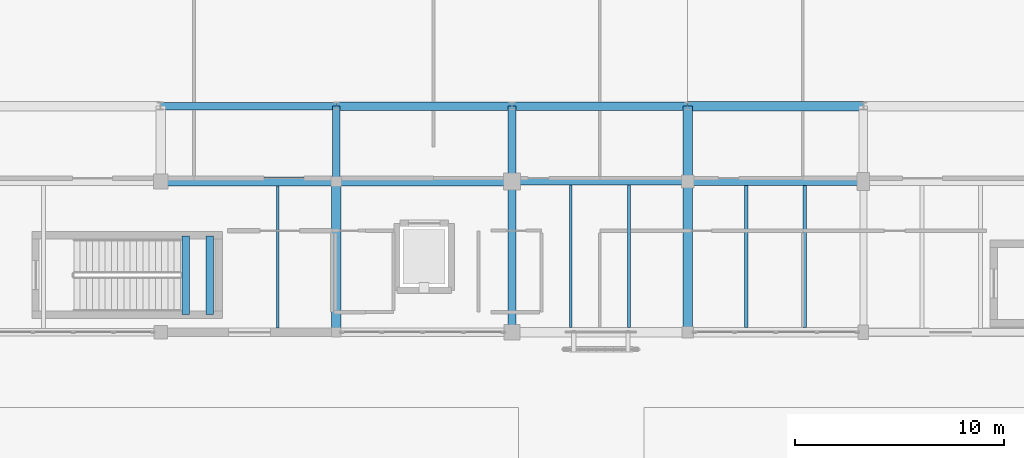
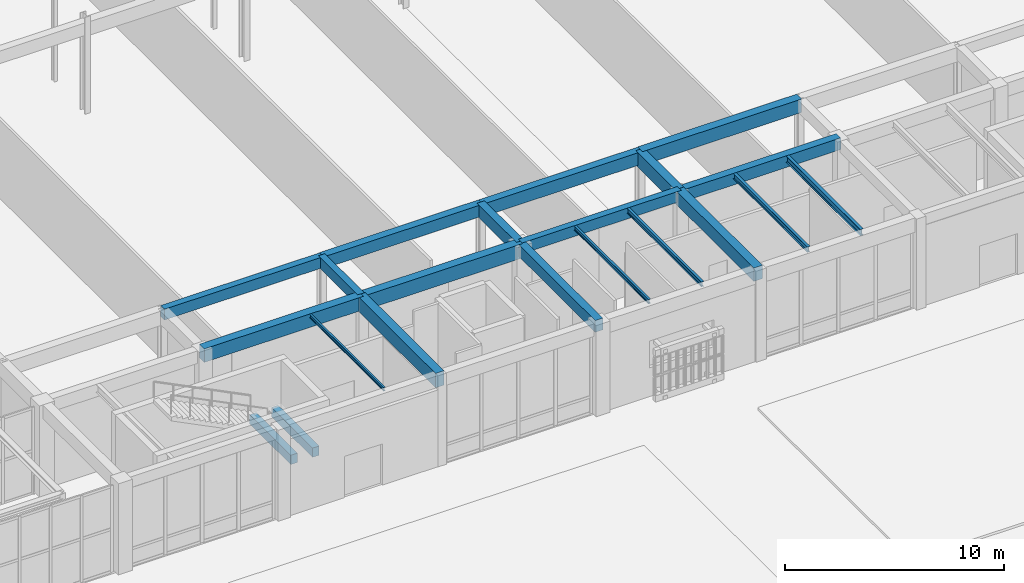
# One storey, part 73 of 169: 21 beams.
"""IFC4 building model written with IfcOpenShell, lengths in metres."""

from ifc_helpers import new_model, si_unit, direction, frame, origin, origin_2d, place, context, subcontext, project, spatial, rectangle, i_section, extrude, material, material_profile, profile_set, type_object, element, save


model = new_model("IFC4")

# Units and contexts
model_context = context("Model", 3, precision=1e-05, world=origin(), true_north=direction((0.0, 1.0)))
body_context = subcontext(model_context, "Body", "Model", "MODEL_VIEW")
ifc_project = project(units=[si_unit("LENGTHUNIT", "METRE"), si_unit("AREAUNIT", "SQUARE_METRE"), si_unit("VOLUMEUNIT", "CUBIC_METRE"), si_unit("PLANEANGLEUNIT", "RADIAN"), si_unit("MASSUNIT", "GRAM", prefix="KILO")], contexts=[model_context])

# Site, building, storey
site_placement = place(None, origin())
site = spatial("IfcSite", under=ifc_project, at=site_placement, CompositionType="ELEMENT")
building_placement = place(site_placement, origin())
building = spatial("IfcBuilding", under=site, at=building_placement, Name="Mazaris Harbour Polytechnic", CompositionType="ELEMENT")
storey_placement = place(building_placement, origin())
storey = spatial("IfcBuildingStorey", under=building, at=storey_placement, Name="L00", CompositionType="ELEMENT", Elevation=0.0)

# Beams
ifc_material_1 = material(Name="Concrete C35/45", Category="concrete")
ifc_material_profile_1 = material_profile(ifc_material_1, rectangle(XDim=0.35009765625, YDim=0.60009765625, at=origin_2d()), Name="RECT350x600")
ifc_profile_set_1 = profile_set([ifc_material_profile_1], Name="Concrete C35/45")
beam_type_1 = type_object("IfcBeamType", Name="RC Girder 350x600", PredefinedType="BEAM", material=ifc_profile_set_1)
for number, where, z_axis, x_axis, name in (
    (1, (79.199951171875, 82.800048828125, 4.780029296875), (1.0, 0.0, 0.0), (0.0, 1.0, 0.0), "V1 L00 Girder 185"),
    (2, (62.39990234375, 86.39990234375, 4.780029296875), (1.0, 0.0, 0.0), (0.0, 1.0, 0.0), "V1 L00 Girder 190"),
):
    element("IfcBeam", number, at=place(storey_placement, frame(where, z_axis=z_axis, x_axis=x_axis)), inside=storey, type_object=beam_type_1, Name=name, PredefinedType="BEAM", context=body_context, shape_type="SweptSolid", body=[
        extrude(rectangle(XDim=0.35009765625, YDim=0.60009765625, at=origin_2d()), origin(), (0.0, 0.0, 1.0), 8.400146484375),
    ])
beam_1_placement = place(storey_placement, frame((70.800048828125, 82.800048828125, 4.780029296875), z_axis=(0.0, 1.0, 0.0), x_axis=(-1.0, 0.0, 0.0)))
element("IfcBeam", 3, at=beam_1_placement, inside=storey, type_object=beam_type_1, Name="V1 L00 Tie Girder 210", PredefinedType="BEAM", context=body_context, shape_type="SweptSolid", body=[
    extrude(rectangle(XDim=0.35009765625, YDim=0.60009765625, at=origin_2d()), origin(), (0.0, 0.0, 1.0), 3.599853515625),
])
ifc_material_2 = material(Name="Concrete C35/45", Category="concrete")
ifc_material_profile_2 = material_profile(ifc_material_2, rectangle(XDim=0.39990234375, YDim=0.64990234375, at=origin_2d()), Name="RECT400x650")
ifc_profile_set_2 = profile_set([ifc_material_profile_2], Name="Concrete C35/45")
beam_type_2 = type_object("IfcBeamType", Name="RC Girder 400x650", PredefinedType="BEAM", material=ifc_profile_set_2)
for number, where, z_axis, x_axis, name in (
    (4, (87.60009765625, 82.800048828125, 4.7548828125), (1.0, 0.0, 0.0), (0.0, 1.0, 0.0), "V1 L00 Girder 186"),
    (5, (70.800048828125, 86.39990234375, 4.7548828125), (1.0, 0.0, 0.0), (0.0, 1.0, 0.0), "V1 L00 Girder 191"),
):
    element("IfcBeam", number, at=place(storey_placement, frame(where, z_axis=z_axis, x_axis=x_axis)), inside=storey, type_object=beam_type_2, Name=name, PredefinedType="BEAM", context=body_context, shape_type="SweptSolid", body=[
        extrude(rectangle(XDim=0.39990234375, YDim=0.64990234375, at=origin_2d()), origin(), (0.0, 0.0, 1.0), 8.39990234375),
    ])
beam_2_placement = place(storey_placement, frame((79.199951171875, 75.60009765625, 4.7548828125), z_axis=(0.0, 1.0, 0.0), x_axis=(-1.0, 0.0, 0.0)))
element("IfcBeam", 6, at=beam_2_placement, inside=storey, type_object=beam_type_2, Name="V1 L00 Tie Girder 211", PredefinedType="BEAM", context=body_context, shape_type="SweptSolid", body=[
    extrude(rectangle(XDim=0.39990234375, YDim=0.64990234375, at=origin_2d()), origin(), (0.0, 0.0, 1.0), 7.199951171875),
])
ifc_material_3 = material(Name="Concrete C35/45", Category="concrete")
ifc_material_profile_3 = material_profile(ifc_material_3, rectangle(XDim=0.39990234375, YDim=0.699951171875, at=origin_2d()), Name="RECT400x700")
ifc_profile_set_3 = profile_set([ifc_material_profile_3], Name="Concrete C35/45")
beam_type_3 = type_object("IfcBeamType", Name="RC Girder 400x700", PredefinedType="BEAM", material=ifc_profile_set_3)
beam_3_placement = place(storey_placement, frame((79.199951171875, 86.39990234375, 4.72998046875), z_axis=(1.0, 0.0, 0.0), x_axis=(0.0, 1.0, 0.0)))
element("IfcBeam", 7, at=beam_3_placement, inside=storey, type_object=beam_type_3, Name="V1 L00 Girder 192", PredefinedType="BEAM", context=body_context, shape_type="SweptSolid", body=[
    extrude(rectangle(XDim=0.39990234375, YDim=0.699951171875, at=origin_2d()), origin(), (0.0, 0.0, 1.0), 8.400146484375),
])
beam_4_placement = place(storey_placement, frame((79.199951171875, 82.800048828125, 4.72998046875), z_axis=(0.0, 1.0, 0.0), x_axis=(-1.0, 0.0, 0.0)))
element("IfcBeam", 8, at=beam_4_placement, inside=storey, type_object=beam_type_3, Name="V1 L00 Tie Girder 212", PredefinedType="BEAM", context=body_context, shape_type="SweptSolid", body=[
    extrude(rectangle(XDim=0.39990234375, YDim=0.699951171875, at=origin_2d()), origin(), (0.0, 0.0, 1.0), 3.599853515625),
])
ifc_material_4 = material(Name="Concrete C40/50", Category="concrete")
ifc_material_profile_4 = material_profile(ifc_material_4, rectangle(XDim=0.449951171875, YDim=0.75, at=origin_2d()), Name="RECT450x750")
ifc_profile_set_4 = profile_set([ifc_material_profile_4], Name="Concrete C40/50")
beam_type_4 = type_object("IfcBeamType", Name="RC Girder 450x750", PredefinedType="BEAM", material=ifc_profile_set_4)
beam_5_placement = place(storey_placement, frame((62.39990234375, 82.800048828125, 4.705078125), z_axis=(1.0, 0.0, 0.0), x_axis=(0.0, 1.0, 0.0)))
element("IfcBeam", 9, at=beam_5_placement, inside=storey, type_object=beam_type_4, Name="V1 L00 Girder 183", PredefinedType="BEAM", context=body_context, shape_type="SweptSolid", body=[
    extrude(rectangle(XDim=0.449951171875, YDim=0.75, at=origin_2d()), origin(), (0.0, 0.0, 1.0), 8.400146484375),
])
beam_6_placement = place(storey_placement, frame((87.60009765625, 86.39990234375, 4.705078125), z_axis=(1.0, 0.0, 0.0), x_axis=(0.0, 1.0, 0.0)))
element("IfcBeam", 10, at=beam_6_placement, inside=storey, type_object=beam_type_4, Name="V1 L00 Girder 193", PredefinedType="BEAM", context=body_context, shape_type="SweptSolid", body=[
    extrude(rectangle(XDim=0.449951171875, YDim=0.75, at=origin_2d()), origin(), (0.0, 0.0, 1.0), 8.39990234375),
])
beam_7_placement = place(storey_placement, frame((87.60009765625, 75.60009765625, 4.705078125), z_axis=(0.0, 1.0, 0.0), x_axis=(-1.0, 0.0, 0.0)))
element("IfcBeam", 11, at=beam_7_placement, inside=storey, type_object=beam_type_4, Name="V1 L00 Tie Girder 213", PredefinedType="BEAM", context=body_context, shape_type="SweptSolid", body=[
    extrude(rectangle(XDim=0.449951171875, YDim=0.75, at=origin_2d()), origin(), (0.0, 0.0, 1.0), 7.199951171875),
])
ifc_material_5 = material(Name="Concrete C40/50", Category="concrete")
ifc_material_profile_5 = material_profile(ifc_material_5, rectangle(XDim=0.449951171875, YDim=0.800048828125, at=origin_2d()), Name="RECT450x800")
ifc_profile_set_5 = profile_set([ifc_material_profile_5], Name="Concrete C40/50")
beam_type_5 = type_object("IfcBeamType", Name="RC Girder 450x800", PredefinedType="BEAM", material=ifc_profile_set_5)
beam_8_placement = place(storey_placement, frame((70.800048828125, 82.800048828125, 4.679931640625), z_axis=(1.0, 0.0, 0.0), x_axis=(0.0, 1.0, 0.0)))
element("IfcBeam", 12, at=beam_8_placement, inside=storey, type_object=beam_type_5, Name="V1 L00 Girder 184", PredefinedType="BEAM", context=body_context, shape_type="SweptSolid", body=[
    extrude(rectangle(XDim=0.449951171875, YDim=0.800048828125, at=origin_2d()), origin(), (0.0, 0.0, 1.0), 8.39990234375),
])
beam_9_placement = place(storey_placement, frame((70.800048828125, 75.60009765625, 4.679931640625), z_axis=(0.0, 1.0, 0.0), x_axis=(-1.0, 0.0, 0.0)))
element("IfcBeam", 13, at=beam_9_placement, inside=storey, type_object=beam_type_5, Name="V1 L00 Tie Girder 209", PredefinedType="BEAM", context=body_context, shape_type="SweptSolid", body=[
    extrude(rectangle(XDim=0.449951171875, YDim=0.800048828125, at=origin_2d()), origin(), (0.0, 0.0, 1.0), 7.199951171875),
])
beam_10_placement = place(storey_placement, frame((87.60009765625, 82.800048828125, 4.679931640625), z_axis=(0.0, 1.0, 0.0), x_axis=(-1.0, 0.0, 0.0)))
element("IfcBeam", 14, at=beam_10_placement, inside=storey, type_object=beam_type_5, Name="V1 L00 Tie Girder 214", PredefinedType="BEAM", context=body_context, shape_type="SweptSolid", body=[
    extrude(rectangle(XDim=0.449951171875, YDim=0.800048828125, at=origin_2d()), origin(), (0.0, 0.0, 1.0), 3.599853515625),
])
ifc_material_6 = material(Name="Concrete C40/50", Category="concrete")
ifc_material_profile_6 = material_profile(ifc_material_6, rectangle(XDim=0.35009765625, YDim=0.52001953125, at=origin_2d()), Name="RECT350x520")
ifc_profile_set_6 = profile_set([ifc_material_profile_6], Name="Concrete C40/50")
beam_type_6 = type_object("IfcBeamType", Name="RC Landing Bearer 350x520", PredefinedType="BEAM", material=ifc_profile_set_6)
for number, where, z_axis, x_axis, name in (
    (15, (63.60009765625, 76.449951171875, 2.239990234375), (0.0, 1.0, 0.0), (-1.0, 0.0, 0.0), "Core ST01 L00 Landing Bearer"),
    (16, (64.75, 76.449951171875, 2.239990234375), (0.0, 1.0, 0.0), (-1.0, 0.0, 0.0), "Core ST01 L00 Landing Bearer"),
):
    element("IfcBeam", number, at=place(storey_placement, frame(where, z_axis=z_axis, x_axis=x_axis)), inside=storey, type_object=beam_type_6, Name=name, PredefinedType="BEAM", context=body_context, shape_type="SweptSolid", body=[
        extrude(rectangle(XDim=0.35009765625, YDim=0.52001953125, at=origin_2d()), origin(), (0.0, 0.0, 1.0), 3.75),
    ])
ifc_material_7 = material(Name="Steel S355", Category="steel")
ifc_material_profile_7 = material_profile(ifc_material_7, i_section(OverallWidth=0.10009765625, OverallDepth=0.199951171875, WebThickness=0.005615234375, FlangeThickness=0.008544921875, FilletRadius=0.011962890625, at=origin_2d()), Name="IPE 200")
ifc_profile_set_7 = profile_set([ifc_material_profile_7], Name="Steel S355")
beam_type_7 = type_object("IfcBeamType", Name="Steel Joist IPE200", PredefinedType="JOIST", material=ifc_profile_set_7)
beam_11_placement = place(storey_placement, frame((68.0, 75.800048828125, 4.97998046875), z_axis=(0.0, 1.0, 0.0), x_axis=(-1.0, 0.0, 0.0)))
element("IfcBeam", 17, at=beam_11_placement, inside=storey, type_object=beam_type_7, Name="V1 L00 Floor Joist 224", PredefinedType="JOIST", context=body_context, shape_type="SweptSolid", body=[
    extrude(i_section(OverallWidth=0.10009765625, OverallDepth=0.199951171875, WebThickness=0.005615234375, FlangeThickness=0.008544921875, FilletRadius=0.011962890625, at=origin_2d()), origin(), (0.0, 0.0, 1.0), 6.77490234375),
])
ifc_material_8 = material(Name="Steel S355", Category="steel")
ifc_material_profile_8 = material_profile(ifc_material_8, i_section(OverallWidth=0.1201171875, OverallDepth=0.239990234375, WebThickness=0.006103515625, FlangeThickness=0.009765625, FilletRadius=0.014892578125, at=origin_2d()), Name="IPE 240")
ifc_profile_set_8 = profile_set([ifc_material_profile_8], Name="Steel S355")
beam_type_8 = type_object("IfcBeamType", Name="Steel Joist IPE240", PredefinedType="JOIST", material=ifc_profile_set_8)
beam_12_placement = place(storey_placement, frame((82.0, 75.824951171875, 4.9599609375), z_axis=(0.0, 1.0, 0.0), x_axis=(-1.0, 0.0, 0.0)))
element("IfcBeam", 18, at=beam_12_placement, inside=storey, type_object=beam_type_8, Name="V1 L00 Floor Joist 225", PredefinedType="JOIST", context=body_context, shape_type="SweptSolid", body=[
    extrude(i_section(OverallWidth=0.1201171875, OverallDepth=0.239990234375, WebThickness=0.006103515625, FlangeThickness=0.009765625, FilletRadius=0.014892578125, at=origin_2d()), origin(), (0.0, 0.0, 1.0), 6.800048828125),
])
ifc_material_9 = material(Name="Steel S355", Category="steel")
ifc_material_profile_9 = material_profile(ifc_material_9, i_section(OverallWidth=0.135009765625, OverallDepth=0.27001953125, WebThickness=0.006591796875, FlangeThickness=0.01025390625, FilletRadius=0.014892578125, at=origin_2d()), Name="IPE 270")
ifc_profile_set_9 = profile_set([ifc_material_profile_9], Name="Steel S355")
beam_type_9 = type_object("IfcBeamType", Name="Steel Joist IPE270", PredefinedType="JOIST", material=ifc_profile_set_9)
beam_13_placement = place(storey_placement, frame((84.800048828125, 75.824951171875, 4.945068359375), z_axis=(0.0, 1.0, 0.0), x_axis=(-1.0, 0.0, 0.0)))
element("IfcBeam", 19, at=beam_13_placement, inside=storey, type_object=beam_type_9, Name="V1 L00 Floor Joist 226", PredefinedType="JOIST", context=body_context, shape_type="SweptSolid", body=[
    extrude(i_section(OverallWidth=0.135009765625, OverallDepth=0.27001953125, WebThickness=0.006591796875, FlangeThickness=0.01025390625, FilletRadius=0.014892578125, at=origin_2d()), origin(), (0.0, 0.0, 1.0), 6.800048828125),
])
ifc_material_10 = material(Name="Steel S355", Category="steel")
ifc_material_profile_10 = material_profile(ifc_material_10, i_section(OverallWidth=0.14990234375, OverallDepth=0.300048828125, WebThickness=0.007080078125, FlangeThickness=0.0107421875, FilletRadius=0.014892578125, at=origin_2d()), Name="IPE 300")
ifc_profile_set_10 = profile_set([ifc_material_profile_10], Name="Steel S355")
beam_type_10 = type_object("IfcBeamType", Name="Steel Joist IPE300", PredefinedType="JOIST", material=ifc_profile_set_10)
beam_14_placement = place(storey_placement, frame((90.39990234375, 75.824951171875, 4.929931640625), z_axis=(0.0, 1.0, 0.0), x_axis=(-1.0, 0.0, 0.0)))
element("IfcBeam", 20, at=beam_14_placement, inside=storey, type_object=beam_type_10, Name="V1 L00 Floor Joist 227", PredefinedType="JOIST", context=body_context, shape_type="SweptSolid", body=[
    extrude(i_section(OverallWidth=0.14990234375, OverallDepth=0.300048828125, WebThickness=0.007080078125, FlangeThickness=0.0107421875, FilletRadius=0.014892578125, at=origin_2d()), origin(), (0.0, 0.0, 1.0), 6.775146484375),
])
ifc_material_11 = material(Name="Steel S355", Category="steel")
ifc_material_profile_11 = material_profile(ifc_material_11, i_section(OverallWidth=0.169921875, OverallDepth=0.360107421875, WebThickness=0.008056640625, FlangeThickness=0.0126953125, FilletRadius=0.01806640625, at=origin_2d()), Name="IPE 360")
ifc_profile_set_11 = profile_set([ifc_material_profile_11], Name="Steel S355")
beam_type_11 = type_object("IfcBeamType", Name="Steel Joist IPE360", PredefinedType="JOIST", material=ifc_profile_set_11)
beam_15_placement = place(storey_placement, frame((93.199951171875, 75.824951171875, 4.89990234375), z_axis=(0.0, 1.0, 0.0), x_axis=(-1.0, 0.0, 0.0)))
element("IfcBeam", 21, at=beam_15_placement, inside=storey, type_object=beam_type_11, Name="V1 L00 Floor Joist 228", PredefinedType="JOIST", context=body_context, shape_type="SweptSolid", body=[
    extrude(i_section(OverallWidth=0.169921875, OverallDepth=0.360107421875, WebThickness=0.008056640625, FlangeThickness=0.0126953125, FilletRadius=0.01806640625, at=origin_2d()), origin(), (0.0, 0.0, 1.0), 6.775146484375),
])

save(model, "model.ifc")
